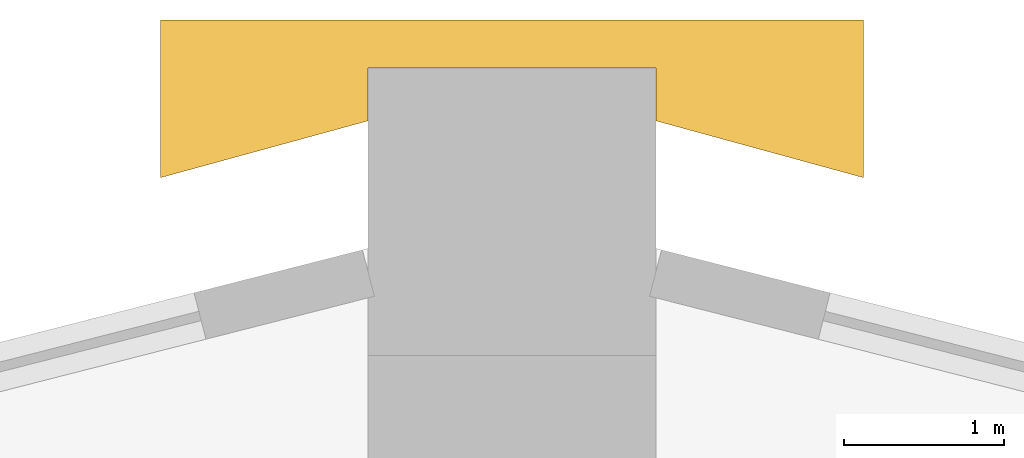
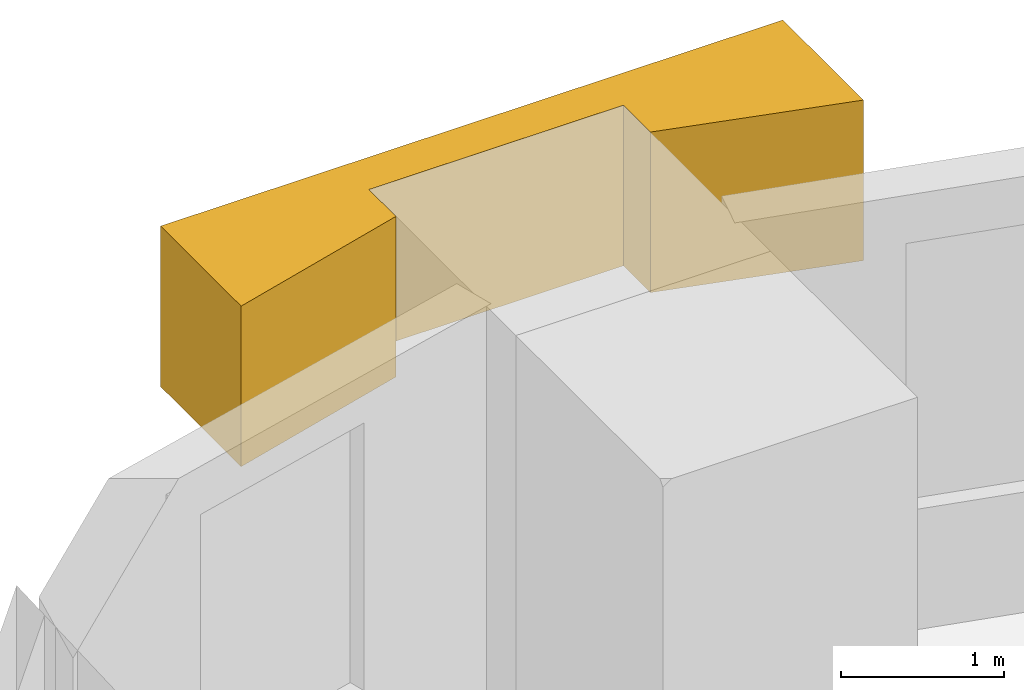
# One storey, part 10 of 10: 1 covering.
"""IFC4 building model written with IfcOpenShell, lengths in metres."""

from ifc_helpers import new_model, si_unit, direction, frame, origin, place, context, subcontext, project, spatial, polyline, outline, extrude, material, type_object, element, save


model = new_model("IFC4")

# Units and contexts
model_context = context("Model", 3, precision=1e-05, world=origin(), true_north=direction((0.0, 1.0)))
body_context = subcontext(model_context, "Body", "Model", "MODEL_VIEW")
ifc_project = project(units=[si_unit("LENGTHUNIT", "METRE"), si_unit("AREAUNIT", "SQUARE_METRE"), si_unit("VOLUMEUNIT", "CUBIC_METRE"), si_unit("PLANEANGLEUNIT", "RADIAN"), si_unit("MASSUNIT", "GRAM", prefix="KILO")], contexts=[model_context])

# Site, building, storey
site_placement = place(None, origin())
site = spatial("IfcSite", under=ifc_project, at=site_placement, CompositionType="ELEMENT")
building_placement = place(site_placement, origin())
building = spatial("IfcBuilding", under=site, at=building_placement, Name="Entoto Arch Interchange Tower", CompositionType="ELEMENT")
storey_placement = place(building_placement, frame((0.0, 0.0, 293.60009765625)))
storey = spatial("IfcBuildingStorey", under=building, at=storey_placement, Name="L68", CompositionType="ELEMENT", Elevation=293.60009765625)

# Covering
ifc_material = material(Name="Board-marked precast concrete C50/60", Category="concrete")
covering_type = type_object("IfcCoveringType", Name="PRECAST FRAME COURSE", PredefinedType="CLADDING", material=ifc_material)
covering_placement = place(storey_placement, frame((0.0, 0.0, 2.059814453125)))
element("IfcCovering", 1, at=covering_placement, inside=storey, type_object=covering_type, Name="Corner pilaster head N L66-L68", PredefinedType="CLADDING", context=body_context, shape_type="SweptSolid", body=[
    extrude(outline(polyline([(-2.199951171875, 25.30810546875), (2.199951171875, 25.30810546875), (2.199951171875, 24.321044921875), (0.89990234375, 24.677001953125), (0.89990234375, 25.008056640625), (-0.89990234375, 25.008056640625), (-0.89990234375, 24.677001953125), (-2.199951171875, 24.321044921875), (-2.199951171875, 25.30810546875)])), origin(), (0.0, 0.0, 1.0), 1.2001953125),
])

save(model, "model.ifc")
